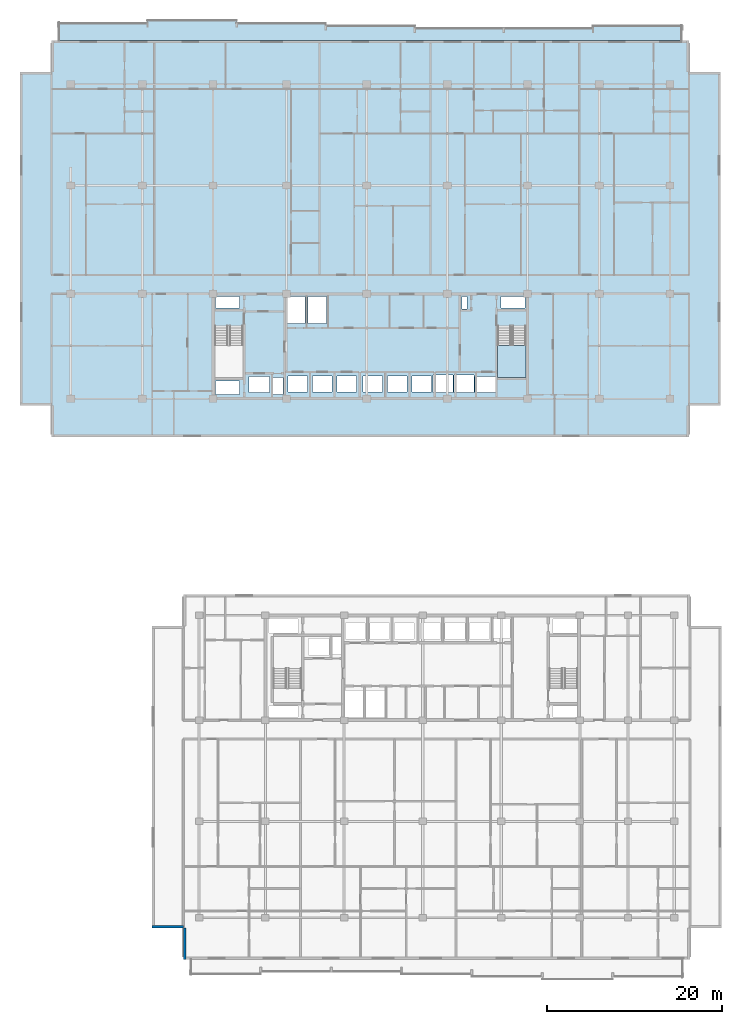
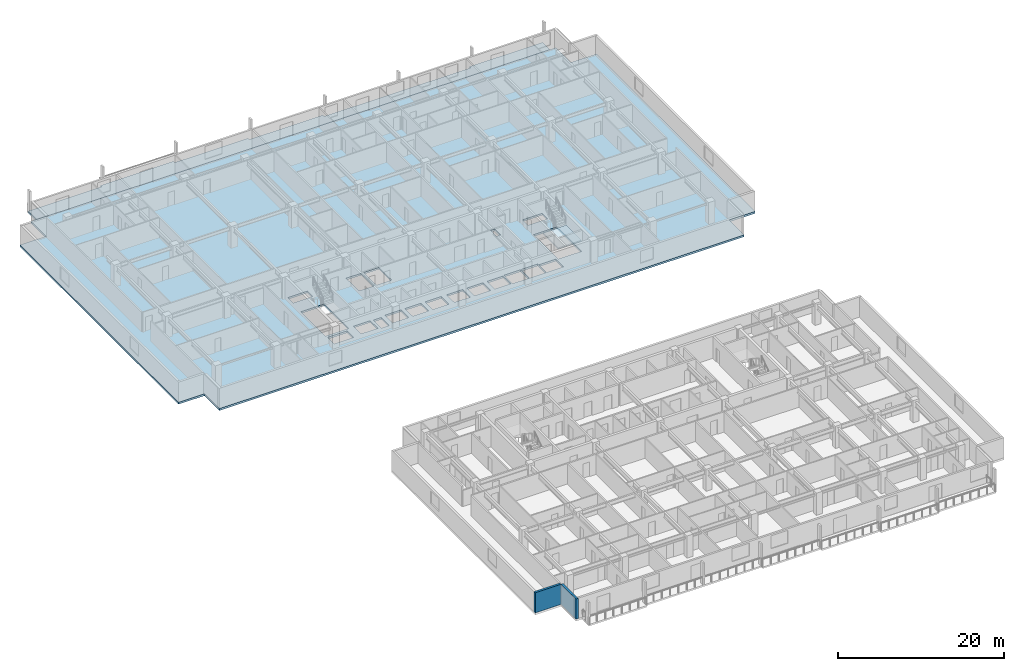
# One storey, part 3 of 22: 3 slabs, 2 walls, 1 element without a shape of its own.
"""IFC4 building model written with IfcOpenShell, lengths in metres."""

from ifc_helpers import new_model, si_unit, direction, frame, frame_2d, origin, place, context, subcontext, project, spatial, polyline, rectangle, outline, extrude, material, layer, layer_set, type_object, element, aggregate, save


model = new_model("IFC4")

# Units and contexts
model_context = context("Model", 3, precision=1e-05, world=origin(), true_north=direction((0.0, 1.0)))
body_context = subcontext(model_context, "Body", "Model", "MODEL_VIEW")
ifc_project = project(units=[si_unit("LENGTHUNIT", "METRE"), si_unit("AREAUNIT", "SQUARE_METRE"), si_unit("VOLUMEUNIT", "CUBIC_METRE"), si_unit("PLANEANGLEUNIT", "RADIAN"), si_unit("MASSUNIT", "GRAM", prefix="KILO")], contexts=[model_context])

# Site, building, storey
site_placement = place(None, origin())
site = spatial("IfcSite", under=ifc_project, at=site_placement, CompositionType="ELEMENT")
building_placement = place(site_placement, origin())
building = spatial("IfcBuilding", under=site, at=building_placement, Name="Korimba Cascade Residences", CompositionType="ELEMENT")
storey_placement = place(building_placement, frame((0.0, 0.0, 87.300048828125)))
storey = spatial("IfcBuildingStorey", under=building, at=storey_placement, Name="L24", CompositionType="ELEMENT", Elevation=87.300048828125)

# Stair, slab
ifc_material_1 = material(Name="Concrete C50/60", Category="concrete")
stair_type = type_object("IfcStairType", Name="STR-W2-18R-1806", PredefinedType="HALF_TURN_STAIR", material=ifc_material_1)
stair_placement = place(storey_placement, origin())
stair = element("IfcStair", 1, at=stair_placement, inside=storey, type_object=stair_type, Name="L24 Tower 1 East Fire Stair ST-W2", PredefinedType="HALF_TURN_STAIR")
ifc_layer_1 = layer(ifc_material_1, 0.199951171875)
ifc_layer_set_1 = layer_set([ifc_layer_1], Name="Concrete C50/60")
slab_type_1 = type_object("IfcSlabType", Name="SLB-LND-220", PredefinedType="LANDING", material=ifc_layer_set_1)
slab_1_placement = place(storey_placement, frame((0.0, 0.0, 1.425048828125)))
slab_1 = element("IfcSlab", 2, at=slab_1_placement, type_object=slab_type_1, Name="ST-W2 landing 1", PredefinedType="LANDING", context=body_context, shape_type="SweptSolid", body=[
    extrude(outline(polyline([(108.659912109375, 61.31005859375), (108.659912109375, 57.60009765625), (111.89990234375, 57.60009765625), (111.89990234375, 61.31005859375), (108.659912109375, 61.31005859375)])), origin(), (0.0, 0.0, 1.0), 0.199951171875),
])
aggregate(stair, [slab_1])

# Slabs
ifc_material_2 = material(Name="Precast concrete C40/50", Category="concrete")
ifc_layer_2 = layer(ifc_material_2, 0.239990234375)
ifc_layer_set_2 = layer_set([ifc_layer_2], Name="Precast concrete C40/50")
slab_type_2 = type_object("IfcSlabType", Name="SLB-LOG-240", PredefinedType="FLOOR", material=ifc_layer_set_2)
slab_2_placement = place(storey_placement, frame((0.0, 0.0, -0.239990234375)))
element("IfcSlab", 3, at=slab_2_placement, inside=storey, type_object=slab_type_2, Name="L24 Tower 1 North Loggia Slab", PredefinedType="FLOOR", context=body_context, shape_type="SweptSolid", body=[
    extrude(outline(polyline([(58.39990234375, 96.199951171875), (129.800048828125, 96.199951171875), (129.800048828125, 97.949951171875), (119.60009765625, 97.949951171875), (119.60009765625, 97.64990234375), (99.199951171875, 97.64990234375), (99.199951171875, 97.949951171875), (89.0, 97.949951171875), (89.0, 98.25), (78.800048828125, 98.25), (78.800048828125, 98.550048828125), (68.60009765625, 98.550048828125), (68.60009765625, 98.25), (58.39990234375, 98.25), (58.39990234375, 96.199951171875)])), origin(), (0.0, 0.0, 1.0), 0.239990234375),
])
ifc_layer_3 = layer(ifc_material_1, 0.280029296875)
ifc_layer_set_3 = layer_set([ifc_layer_3], Name="Concrete C50/60")
slab_type_3 = type_object("IfcSlabType", Name="SLB-TYP-280", PredefinedType="FLOOR", material=ifc_layer_set_3)
slab_3_placement = place(storey_placement, frame((0.0, 0.0, -0.280029296875)))
element("IfcSlab", 4, at=slab_3_placement, inside=storey, type_object=slab_type_3, Name="L24 Tower 1 Floor Slab", PredefinedType="FLOOR", context=body_context, shape_type="SweptSolid", body=[
    extrude(outline(polyline([(57.60009765625, 50.800048828125), (130.60009765625, 50.800048828125), (130.60009765625, 54.39990234375), (134.199951171875, 54.39990234375), (134.199951171875, 92.60009765625), (130.60009765625, 92.60009765625), (130.60009765625, 96.199951171875), (57.60009765625, 96.199951171875), (57.60009765625, 92.60009765625), (54.0, 92.60009765625), (54.0, 54.39990234375), (57.60009765625, 54.39990234375), (57.60009765625, 50.800048828125)]), holes=[polyline([(76.300048828125, 63.514892578125), (76.300048828125, 57.60009765625), (79.5400390625, 57.60009765625), (79.5400390625, 63.514892578125), (76.300048828125, 63.514892578125)]), polyline([(108.659912109375, 63.514892578125), (108.659912109375, 57.60009765625), (111.89990234375, 57.60009765625), (111.89990234375, 63.514892578125), (108.659912109375, 63.514892578125)]), polyline([(80.22998046875, 55.8798828125), (82.570068359375, 55.8798828125), (82.570068359375, 57.719970703125), (80.22998046875, 57.719970703125), (80.22998046875, 55.8798828125)]), polyline([(106.080078125, 55.8798828125), (108.419921875, 55.8798828125), (108.419921875, 57.719970703125), (106.080078125, 57.719970703125), (106.080078125, 55.8798828125)]), polyline([(84.679931640625, 55.97998046875), (86.919921875, 55.97998046875), (86.919921875, 57.820068359375), (84.679931640625, 57.820068359375), (84.679931640625, 55.97998046875)]), polyline([(87.47998046875, 55.97998046875), (89.719970703125, 55.97998046875), (89.719970703125, 57.820068359375), (87.47998046875, 57.820068359375), (87.47998046875, 55.97998046875)]), polyline([(90.280029296875, 55.97998046875), (92.52001953125, 55.97998046875), (92.52001953125, 57.820068359375), (90.280029296875, 57.820068359375), (90.280029296875, 55.97998046875)]), polyline([(93.280029296875, 55.97998046875), (95.52001953125, 55.97998046875), (95.52001953125, 57.820068359375), (93.280029296875, 57.820068359375), (93.280029296875, 55.97998046875)]), polyline([(96.080078125, 55.97998046875), (98.320068359375, 55.97998046875), (98.320068359375, 57.820068359375), (96.080078125, 57.820068359375), (96.080078125, 55.97998046875)]), polyline([(98.8798828125, 55.97998046875), (101.1201171875, 55.97998046875), (101.1201171875, 57.820068359375), (98.8798828125, 57.820068359375), (98.8798828125, 55.97998046875)]), polyline([(101.304931640625, 55.8798828125), (103.594970703125, 55.8798828125), (103.594970703125, 57.919921875), (101.304931640625, 57.919921875), (101.304931640625, 55.8798828125)]), polyline([(103.705078125, 55.8798828125), (105.9951171875, 55.8798828125), (105.9951171875, 57.919921875), (103.705078125, 57.919921875), (103.705078125, 55.8798828125)]), polyline([(82.97998046875, 55.679931640625), (84.080078125, 55.679931640625), (84.080078125, 57.6201171875), (82.97998046875, 57.6201171875), (82.97998046875, 55.679931640625)]), polyline([(76.39990234375, 65.56005859375), (79.10009765625, 65.56005859375), (79.10009765625, 66.8798828125), (76.39990234375, 66.8798828125), (76.39990234375, 65.56005859375)]), polyline([(76.39990234375, 55.679931640625), (79.10009765625, 55.679931640625), (79.10009765625, 57.239990234375), (76.39990234375, 57.239990234375), (76.39990234375, 55.679931640625)]), polyline([(84.530029296875, 63.820068359375), (86.6201171875, 63.820068359375), (86.6201171875, 66.8798828125), (84.530029296875, 66.8798828125), (84.530029296875, 63.820068359375)]), polyline([(86.97998046875, 63.820068359375), (89.070068359375, 63.820068359375), (89.070068359375, 66.8798828125), (86.97998046875, 66.8798828125), (86.97998046875, 63.820068359375)]), polyline([(104.6201171875, 65.4599609375), (105.179931640625, 65.4599609375), (105.179931640625, 66.8798828125), (104.6201171875, 66.8798828125), (104.6201171875, 65.4599609375)]), polyline([(109.080078125, 65.56005859375), (111.800048828125, 65.56005859375), (111.800048828125, 66.8798828125), (109.080078125, 66.8798828125), (109.080078125, 65.56005859375)])]), origin(), (0.0, 0.0, 1.0), 0.280029296875),
])

# Walls
ifc_layer_4 = layer(ifc_material_2, 0.300048828125)
ifc_layer_set_4 = layer_set([ifc_layer_4], Name="Precast concrete C40/50")
wall_type = type_object("IfcWallType", Name="EW-STONE-300", PredefinedType="STANDARD", material=ifc_layer_set_4)
wall_1_placement = place(storey_placement, frame((69.10009765625, -5.25, 0.0), z_axis=(0.0, 0.0, 1.0), x_axis=(1.0, 0.0, 0.0)))
element("IfcWall", 5, at=wall_1_placement, inside=storey, type_object=wall_type, Name="L24 T2 Perimeter Stone Wall E10", PredefinedType="STANDARD", context=body_context, shape_type="SweptSolid", body=[
    extrude(rectangle(XDim=3.599853515625, YDim=0.300048828125, at=frame_2d((1.7998046875, 0.0))), origin(), (0.0, 0.0, 1.0), 2.969970703125),
])
wall_2_placement = place(storey_placement, frame((72.85009765625, -5.39990234375, 0.0), z_axis=(0.0, 0.0, 1.0), x_axis=(0.0, -1.0, 0.0)))
element("IfcWall", 6, at=wall_2_placement, inside=storey, type_object=wall_type, Name="L24 T2 Perimeter Stone Wall E11", PredefinedType="STANDARD", context=body_context, shape_type="SweptSolid", body=[
    extrude(rectangle(XDim=3.60009765625, YDim=0.300048828125, at=frame_2d((1.800048828125, 0.0))), origin(), (0.0, 0.0, 1.0), 2.969970703125),
])

save(model, "model.ifc")
